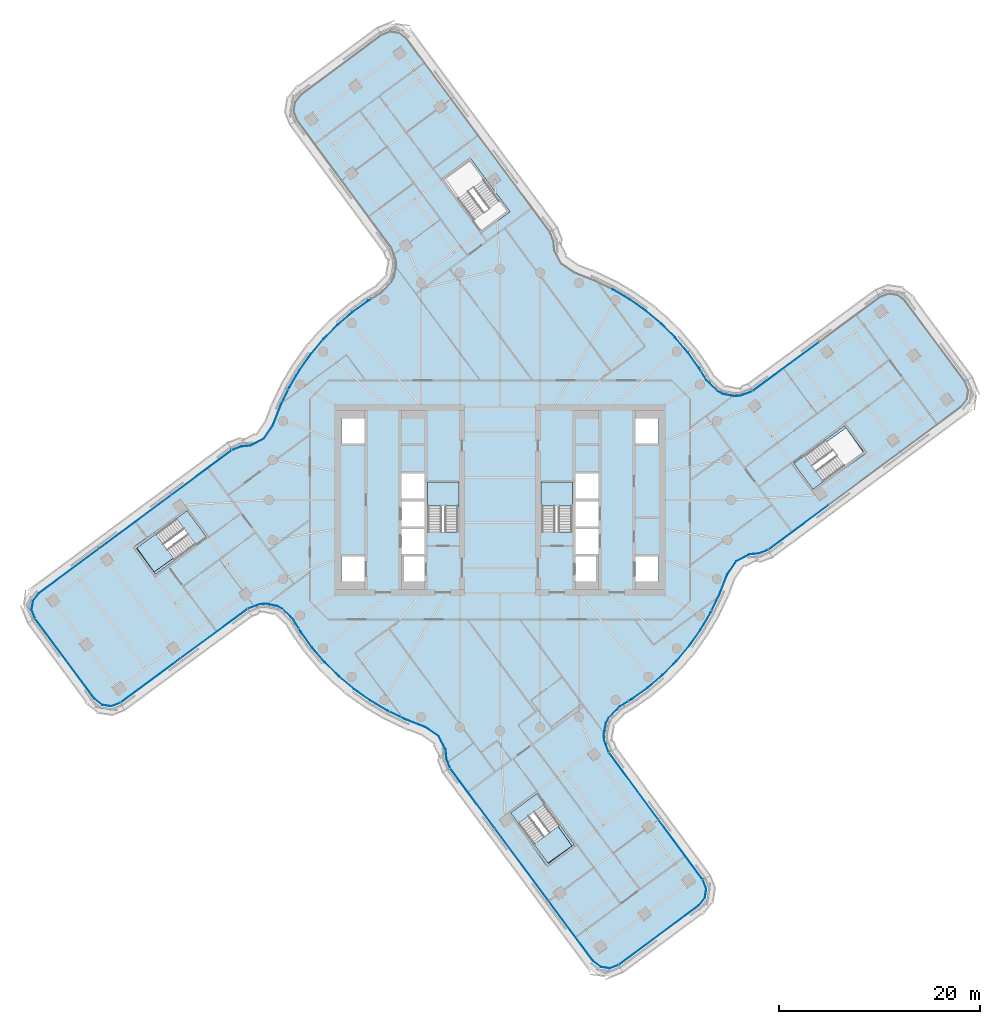
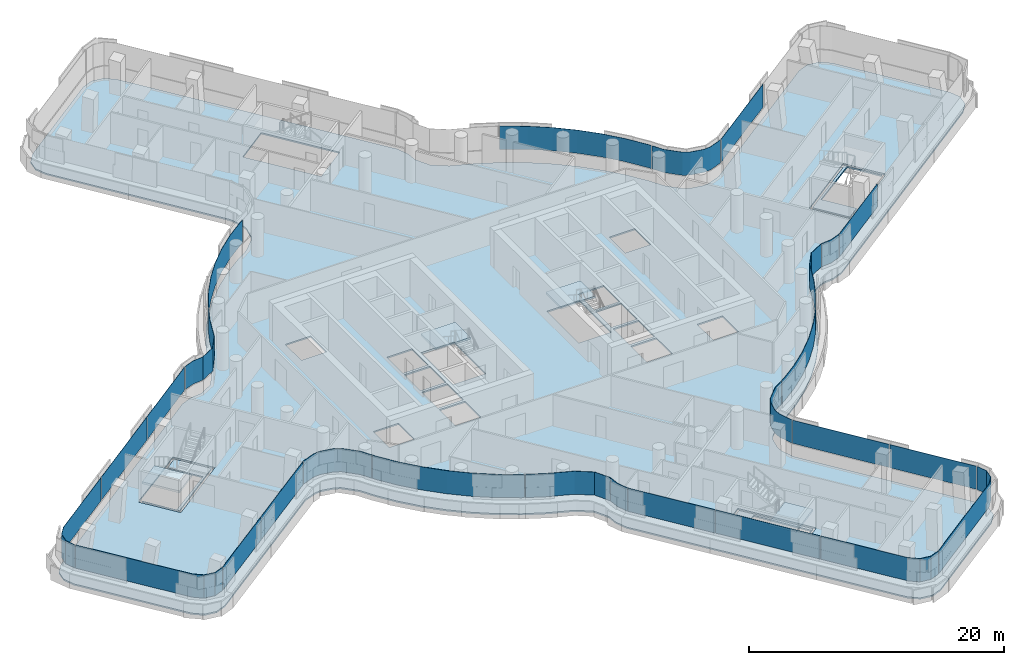
# One storey, part 18 of 32: 24 plates, 8 slabs, 16 elements without a shape of their own.
"""IFC4 building model written with IfcOpenShell, lengths in metres."""

from ifc_helpers import new_model, si_unit, direction, frame, origin, place, context, subcontext, project, spatial, polyline, outline, extrude, material, layer, layer_set, type_object, element, aggregate, save


model = new_model("IFC4")

# Units and contexts
model_context = context("Model", 3, precision=1e-05, world=origin(), true_north=direction((0.0, 1.0)))
body_context = subcontext(model_context, "Body", "Model", "MODEL_VIEW")
ifc_project = project(units=[si_unit("LENGTHUNIT", "METRE"), si_unit("AREAUNIT", "SQUARE_METRE"), si_unit("VOLUMEUNIT", "CUBIC_METRE"), si_unit("PLANEANGLEUNIT", "RADIAN"), si_unit("MASSUNIT", "GRAM", prefix="KILO")], contexts=[model_context])

# Site, building, storey
site_placement = place(None, origin())
site = spatial("IfcSite", under=ifc_project, at=site_placement, CompositionType="ELEMENT")
building_placement = place(site_placement, origin())
building = spatial("IfcBuilding", under=site, at=building_placement, Name="Tamarind Cross Interchange Tower", CompositionType="ELEMENT")
storey_placement = place(building_placement, frame((0.0, 0.0, 166.75)))
storey = spatial("IfcBuildingStorey", under=building, at=storey_placement, Name="L41", CompositionType="ELEMENT", Elevation=166.75)

# Slabs
ifc_material_1 = material(Name="Concrete C35", Category="concrete")
ifc_layer_1 = layer(ifc_material_1, 0.139892578125)
ifc_layer_set_1 = layer_set([ifc_layer_1], Name="Concrete C35")
slab_type_1 = type_object("IfcSlabType", Name="Composite slab 140 Concrete C35", PredefinedType="FLOOR", material=ifc_layer_set_1)
slab_1_placement = place(storey_placement, frame((0.0, 0.0, -0.139892578125)))
element("IfcSlab", 1, at=slab_1_placement, inside=storey, type_object=slab_type_1, Name="Floor slab L41", PredefinedType="FLOOR", context=body_context, shape_type="SweptSolid", body=[
    extrude(outline(polyline([(25.80810546875, -5.527099609375), (26.81787109375, -5.1416015625), (46.057373046875, 9.130126953125), (46.700927734375, 9.94091796875), (46.852783203125, 10.965087890625), (46.47216796875, 11.927978515625), (40.514404296875, 19.95947265625), (39.703369140625, 20.602783203125), (38.67919921875, 20.754638671875), (37.716552734375, 20.374267578125), (25.03466796875, 11.014404296875), (23.883056640625, 10.58154296875), (23.345703125, 10.5380859375), (22.277587890625, 10.751708984375), (21.79833984375, 10.9990234375), (20.729248046875, 12.057373046875), (20.031982421875, 13.2109375), (18.87255859375, 14.820068359375), (17.584228515625, 16.327880859375), (16.17578125, 17.72412109375), (14.656982421875, 18.99951171875), (13.0380859375, 20.14501953125), (11.329833984375, 21.15283203125), (9.54443359375, 22.01611328125), (7.51220703125, 22.8125), (6.263671875, 23.66650390625), (5.6103515625, 24.896728515625), (5.527099609375, 25.80810546875), (5.1416015625, 26.81787109375), (-9.130126953125, 46.057373046875), (-9.94091796875, 46.700927734375), (-10.965087890625, 46.852783203125), (-11.927978515625, 46.47216796875), (-19.95947265625, 40.514404296875), (-20.602783203125, 39.703369140625), (-20.754638671875, 38.67919921875), (-20.374267578125, 37.716552734375), (-11.014404296875, 25.03466796875), (-10.58154296875, 23.883056640625), (-10.5380859375, 23.345703125), (-10.751708984375, 22.277587890625), (-10.9990234375, 21.79833984375), (-12.057373046875, 20.729248046875), (-13.2109375, 20.031982421875), (-14.820068359375, 18.87255859375), (-16.327880859375, 17.584228515625), (-17.72412109375, 16.17578125), (-18.99951171875, 14.656982421875), (-20.14501953125, 13.0380859375), (-21.15283203125, 11.329833984375), (-22.01611328125, 9.54443359375), (-22.8125, 7.51220703125), (-23.66650390625, 6.263671875), (-24.896728515625, 5.6103515625), (-25.80810546875, 5.527099609375), (-26.81787109375, 5.1416015625), (-46.057373046875, -9.130126953125), (-46.700927734375, -9.94091796875), (-46.852783203125, -10.965087890625), (-46.47216796875, -11.927978515625), (-40.514404296875, -19.95947265625), (-39.703369140625, -20.602783203125), (-38.67919921875, -20.754638671875), (-37.716552734375, -20.374267578125), (-25.03466796875, -11.014404296875), (-23.883056640625, -10.58154296875), (-23.345703125, -10.5380859375), (-22.277587890625, -10.751708984375), (-21.79833984375, -10.9990234375), (-20.729248046875, -12.057373046875), (-20.031982421875, -13.2109375), (-18.87255859375, -14.820068359375), (-17.584228515625, -16.327880859375), (-16.17578125, -17.72412109375), (-14.656982421875, -18.99951171875), (-13.0380859375, -20.14501953125), (-11.329833984375, -21.15283203125), (-9.54443359375, -22.01611328125), (-7.51220703125, -22.8125), (-6.263671875, -23.66650390625), (-5.6103515625, -24.896728515625), (-5.527099609375, -25.80810546875), (-5.1416015625, -26.81787109375), (9.130126953125, -46.057373046875), (9.94091796875, -46.700927734375), (10.965087890625, -46.852783203125), (11.927978515625, -46.47216796875), (19.95947265625, -40.514404296875), (20.602783203125, -39.703369140625), (20.754638671875, -38.67919921875), (20.374267578125, -37.716552734375), (11.014404296875, -25.03466796875), (10.58154296875, -23.883056640625), (10.5380859375, -23.345703125), (10.751708984375, -22.277587890625), (10.9990234375, -21.79833984375), (12.057373046875, -20.729248046875), (13.2109375, -20.031982421875), (14.820068359375, -18.87255859375), (16.327880859375, -17.584228515625), (17.72412109375, -16.17578125), (18.99951171875, -14.656982421875), (20.14501953125, -13.0380859375), (21.15283203125, -11.329833984375), (22.01611328125, -9.54443359375), (22.8125, -7.51220703125), (23.66650390625, -6.263671875), (24.896728515625, -5.6103515625), (25.80810546875, -5.527099609375)]), holes=[polyline([(-7.5, -8.125), (-9.800048828125, -8.125), (-9.800048828125, -5.625), (-7.5, -5.625), (-7.5, -8.125)]), polyline([(-13.5, -8.125), (-15.800048828125, -8.125), (-15.800048828125, -5.625), (-13.5, -5.625), (-13.5, -8.125)]), polyline([(-31.124267578125, -0.7919921875), (-31.005126953125, -0.95263671875), (-29.0986328125, -3.522705078125), (-28.9794921875, -3.683349609375), (-34.360595703125, -7.675048828125), (-34.479736328125, -7.514404296875), (-36.38623046875, -4.9443359375), (-36.50537109375, -4.78369140625), (-36.2763671875, -4.61376953125), (-36.311279296875, -4.56494140625), (-33.6337890625, -2.653564453125), (-31.124267578125, -0.7919921875)]), polyline([(-7.5, -5.375), (-9.800048828125, -5.375), (-9.800048828125, -2.875), (-7.5, -2.875), (-7.5, -5.375)]), polyline([(-7.5, -2.625), (-9.800048828125, -2.625), (-9.800048828125, -0.125), (-7.5, -0.125), (-7.5, -2.625)]), polyline([(-4.199951171875, 1.800048828125), (-4.199951171875, -3.18798828125), (-7.14990234375, -3.18798828125), (-7.14990234375, 1.800048828125), (-4.199951171875, 1.800048828125)]), polyline([(-7.5, 0.125), (-9.800048828125, 0.125), (-9.800048828125, 2.625), (-7.5, 2.625), (-7.5, 0.125)]), polyline([(-13.5, 5.625), (-15.800048828125, 5.625), (-15.800048828125, 8.125), (-13.5, 8.125), (-13.5, 5.625)]), polyline([(-5.8876953125, 31.951171875), (-5.72705078125, 32.0703125), (-3.156982421875, 33.976806640625), (-2.996337890625, 34.095947265625), (-2.826171875, 33.866455078125), (-2.82177734375, 33.86962890625), (-2.653564453125, 33.6337890625), (0.995361328125, 28.71484375), (0.834716796875, 28.595703125), (-1.7353515625, 26.689208984375), (-1.89599609375, 26.570068359375), (-5.8876953125, 31.951171875)]), polyline([(0.7919921875, -31.124267578125), (0.95263671875, -31.005126953125), (3.522705078125, -29.0986328125), (3.683349609375, -28.9794921875), (7.675048828125, -34.360595703125), (7.514404296875, -34.479736328125), (4.9443359375, -36.38623046875), (4.78369140625, -36.50537109375), (4.61376953125, -36.2763671875), (4.56494140625, -36.311279296875), (2.653564453125, -33.6337890625), (0.7919921875, -31.124267578125)]), polyline([(13.5, -5.625), (15.800048828125, -5.625), (15.800048828125, -8.125), (13.5, -8.125), (13.5, -5.625)]), polyline([(7.5, -5.625), (9.800048828125, -5.625), (9.800048828125, -8.125), (7.5, -8.125), (7.5, -5.625)]), polyline([(7.5, -2.875), (9.800048828125, -2.875), (9.800048828125, -5.375), (7.5, -5.375), (7.5, -2.875)]), polyline([(7.5, -0.125), (9.800048828125, -0.125), (9.800048828125, -2.625), (7.5, -2.625), (7.5, -0.125)]), polyline([(7.14990234375, 1.800048828125), (7.14990234375, -3.18798828125), (4.199951171875, -3.18798828125), (4.199951171875, 1.800048828125), (7.14990234375, 1.800048828125)]), polyline([(7.5, 2.625), (9.800048828125, 2.625), (9.800048828125, 0.125), (7.5, 0.125), (7.5, 2.625)]), polyline([(28.9794921875, 3.683349609375), (34.360595703125, 7.675048828125), (34.479736328125, 7.514404296875), (36.38623046875, 4.9443359375), (36.50537109375, 4.78369140625), (36.2763671875, 4.61376953125), (36.311279296875, 4.56494140625), (33.6337890625, 2.653564453125), (31.124267578125, 0.7919921875), (31.005126953125, 0.95263671875), (29.0986328125, 3.522705078125), (28.9794921875, 3.683349609375)]), polyline([(15.800048828125, 8.125), (15.800048828125, 5.625), (13.5, 5.625), (13.5, 8.125), (15.800048828125, 8.125)])]), origin(), (0.0, 0.0, 1.0), 0.139892578125),
])
slab_2_placement = place(storey_placement, frame((0.0, 0.0, -0.139892578125)))
element("IfcSlab", 2, at=slab_2_placement, inside=storey, type_object=slab_type_1, Name="Floor slab L41", PredefinedType="FLOOR", context=body_context, shape_type="SweptSolid", body=[
    extrude(outline(polyline([(-36.2255859375, -4.8251953125), (-34.319091796875, -7.395263671875), (-29.25927734375, -3.641845703125), (-31.165771484375, -1.07177734375), (-32.1533203125, -1.80419921875), (-32.219482421875, -1.853515625), (-30.414306640625, -4.286865234375), (-34.451904296875, -7.169189453125), (-36.16015625, -4.776611328125), (-36.2255859375, -4.8251953125)])), origin(), (0.0, 0.0, 1.0), 0.139892578125),
])
slab_3_placement = place(storey_placement, frame((0.0, 0.0, -0.139892578125)))
element("IfcSlab", 3, at=slab_3_placement, inside=storey, type_object=slab_type_1, Name="Floor slab L41", PredefinedType="FLOOR", context=body_context, shape_type="SweptSolid", body=[
    extrude(outline(polyline([(4.8251953125, -36.2255859375), (7.395263671875, -34.319091796875), (3.641845703125, -29.25927734375), (1.07177734375, -31.165771484375), (1.80419921875, -32.1533203125), (1.853515625, -32.219482421875), (4.286865234375, -30.414306640625), (7.169189453125, -34.451904296875), (4.776611328125, -36.16015625), (4.8251953125, -36.2255859375)])), origin(), (0.0, 0.0, 1.0), 0.139892578125),
])
slab_4_placement = place(storey_placement, frame((0.0, 0.0, -0.139892578125)))
element("IfcSlab", 4, at=slab_4_placement, inside=storey, type_object=slab_type_1, Name="Floor slab L41", PredefinedType="FLOOR", context=body_context, shape_type="SweptSolid", body=[
    extrude(outline(polyline([(29.25927734375, 3.641845703125), (31.165771484375, 1.07177734375), (32.1533203125, 1.80419921875), (32.219482421875, 1.853515625), (30.414306640625, 4.286865234375), (34.451904296875, 7.169189453125), (36.16015625, 4.776611328125), (36.2255859375, 4.8251953125), (34.319091796875, 7.395263671875), (29.25927734375, 3.641845703125)])), origin(), (0.0, 0.0, 1.0), 0.139892578125),
])

# Stair, slab
ifc_material_2 = material(Name="Exit stair")
stair_type = type_object("IfcStairType", Name="Exit stair", PredefinedType="HALF_TURN_STAIR", material=ifc_material_2)
stair_1_placement = place(storey_placement, origin())
stair_1 = element("IfcStair", 5, at=stair_1_placement, inside=storey, type_object=stair_type, Name="L41 exit stair ST1", PredefinedType="HALF_TURN_STAIR")
ifc_material_3 = material(Name="Concrete C40", Category="concrete")
ifc_layer_2 = layer(ifc_material_3, 0.199951171875)
ifc_layer_set_2 = layer_set([ifc_layer_2], Name="Concrete C40")
slab_type_2 = type_object("IfcSlabType", Name="Stair landing", PredefinedType="LANDING", material=ifc_layer_set_2)
slab_5_placement = place(storey_placement, frame((0.0, 0.0, 1.675048828125)))
slab_5 = element("IfcSlab", 6, at=slab_5_placement, type_object=slab_type_2, Name="ST1 landing 1", PredefinedType="LANDING", context=body_context, shape_type="SweptSolid", body=[
    extrude(outline(polyline([(-4.10009765625, -0.60009765625), (-4.10009765625, 1.800048828125), (-7.199951171875, 1.800048828125), (-7.199951171875, -0.60009765625), (-4.10009765625, -0.60009765625)])), origin(), (0.0, 0.0, 1.0), 0.199951171875),
])
aggregate(stair_1, [slab_5])

stair_2_placement = place(storey_placement, origin())
stair_2 = element("IfcStair", 7, at=stair_2_placement, inside=storey, type_object=stair_type, Name="L41 exit stair ST2", PredefinedType="HALF_TURN_STAIR")
slab_6_placement = place(storey_placement, frame((0.0, 0.0, 1.675048828125)))
slab_6 = element("IfcSlab", 8, at=slab_6_placement, type_object=slab_type_2, Name="ST2 landing 1", PredefinedType="LANDING", context=body_context, shape_type="SweptSolid", body=[
    extrude(outline(polyline([(7.199951171875, -0.60009765625), (7.199951171875, 1.800048828125), (4.10009765625, 1.800048828125), (4.10009765625, -0.60009765625), (7.199951171875, -0.60009765625)])), origin(), (0.0, 0.0, 1.0), 0.199951171875),
])
aggregate(stair_2, [slab_6])

stair_3_placement = place(storey_placement, origin())
stair_3 = element("IfcStair", 9, at=stair_3_placement, inside=storey, type_object=stair_type, Name="L41 exit stair ST5", PredefinedType="HALF_TURN_STAIR")
slab_7_placement = place(storey_placement, frame((0.0, 0.0, 1.675048828125)))
slab_7 = element("IfcSlab", 10, at=slab_7_placement, type_object=slab_type_2, Name="ST5 landing 1", PredefinedType="LANDING", context=body_context, shape_type="SweptSolid", body=[
    extrude(outline(polyline([(-34.288330078125, -3.38818359375), (-36.2255859375, -4.8251953125), (-34.319091796875, -7.395263671875), (-32.3818359375, -5.958251953125), (-34.288330078125, -3.38818359375)])), origin(), (0.0, 0.0, 1.0), 0.199951171875),
])
aggregate(stair_3, [slab_7])

stair_4_placement = place(storey_placement, origin())
stair_4 = element("IfcStair", 11, at=stair_4_placement, inside=storey, type_object=stair_type, Name="L41 exit stair ST6", PredefinedType="HALF_TURN_STAIR")
slab_8_placement = place(storey_placement, frame((0.0, 0.0, 1.675048828125)))
slab_8 = element("IfcSlab", 12, at=slab_8_placement, type_object=slab_type_2, Name="ST6 landing 1", PredefinedType="LANDING", context=body_context, shape_type="SweptSolid", body=[
    extrude(outline(polyline([(3.38818359375, -34.288330078125), (4.8251953125, -36.2255859375), (7.395263671875, -34.319091796875), (5.958251953125, -32.3818359375), (3.38818359375, -34.288330078125)])), origin(), (0.0, 0.0, 1.0), 0.199951171875),
])
aggregate(stair_4, [slab_8])

# Curtain wall, plate
ifc_material_4 = material(Name="Aluminium 6063-T6", Category="aluminium")
ifc_layer_3 = layer(ifc_material_4, 0.159912109375)
ifc_layer_set_3 = layer_set([ifc_layer_3], Name="Aluminium 6063-T6")
curtain_wall_type = type_object("IfcCurtainWallType", Name="Office curtain wall, 9.0 m bays", PredefinedType="NOTDEFINED", material=ifc_layer_set_3)
curtain_wall_1_placement = place(storey_placement, origin())
curtain_wall_1 = element("IfcCurtainWall", 13, at=curtain_wall_1_placement, inside=storey, type_object=curtain_wall_type, Name="CWS-L41-01", PredefinedType="NOTDEFINED")
ifc_material_5 = material(Name="Laminated low-e glass 8+1.52+8", Category="glass")
ifc_layer_4 = layer(ifc_material_5, 0.028076171875)
ifc_layer_set_4 = layer_set([ifc_layer_4], Name="Laminated low-e glass 8+1.52+8")
plate_type = type_object("IfcPlateType", Name="Vision panel CW1", PredefinedType="CURTAIN_PANEL", material=ifc_layer_set_4)
plate_1_placement = place(storey_placement, frame((0.0, 0.0, 1.39990234375)))
plate_1 = element("IfcPlate", 14, at=plate_1_placement, type_object=plate_type, Name="CWP-L41-01-01", PredefinedType="CURTAIN_PANEL", context=body_context, shape_type="SweptSolid", body=[
    extrude(outline(polyline([(31.794677734375, 15.737548828125), (25.163330078125, 10.84375), (25.146728515625, 10.8662109375), (31.778076171875, 15.76025390625), (31.794677734375, 15.737548828125)])), origin(), (0.0, 0.0, 1.0), 2.210205078125),
])
aggregate(curtain_wall_1, [plate_1])

# Curtain wall, plates
curtain_wall_2_placement = place(storey_placement, origin())
curtain_wall_2 = element("IfcCurtainWall", 15, at=curtain_wall_2_placement, inside=storey, type_object=curtain_wall_type, Name="CWS-L41-02", PredefinedType="NOTDEFINED")
plate_2_placement = place(storey_placement, frame((0.0, 0.0, 1.39990234375)))
plate_2 = element("IfcPlate", 16, at=plate_2_placement, type_object=plate_type, Name="CWP-L41-02-00", PredefinedType="CURTAIN_PANEL", context=body_context, shape_type="SweptSolid", body=[
    extrude(outline(polyline([(25.10791015625, 10.8134765625), (23.930419921875, 10.37060546875), (23.3330078125, 10.322265625), (22.2060546875, 10.5478515625), (21.671142578125, 10.82373046875), (20.559814453125, 11.923828125), (20.048095703125, 12.7705078125), (20.072021484375, 12.784912109375), (20.58203125, 11.94140625), (21.687744140625, 10.8466796875), (22.215576171875, 10.574462890625), (23.334716796875, 10.350341796875), (23.924072265625, 10.398193359375), (25.097900390625, 10.839599609375), (25.10791015625, 10.8134765625)])), origin(), (0.0, 0.0, 1.0), 2.210205078125),
])
plate_3_placement = place(storey_placement, frame((0.0, 0.0, 1.39990234375)))
plate_3 = element("IfcPlate", 17, at=plate_3_placement, type_object=plate_type, Name="CWP-L41-02-01", PredefinedType="CURTAIN_PANEL", context=body_context, shape_type="SweptSolid", body=[
    extrude(outline(polyline([(20.01708984375, 12.82177734375), (19.853271484375, 13.0927734375), (18.7041015625, 14.687744140625), (17.42724609375, 16.18212890625), (16.031494140625, 17.56591796875), (14.526123046875, 18.829833984375), (12.921630859375, 19.965087890625), (11.228759765625, 20.9638671875), (11.018798828125, 21.0654296875), (11.031005859375, 21.090576171875), (11.241943359375, 20.98876953125), (12.936767578125, 19.988525390625), (14.543212890625, 18.85205078125), (16.05029296875, 17.586669921875), (17.44775390625, 16.201171875), (18.72607421875, 14.705078125), (19.876708984375, 13.108154296875), (20.041015625, 12.83642578125), (20.01708984375, 12.82177734375)])), origin(), (0.0, 0.0, 1.0), 2.210205078125),
])
aggregate(curtain_wall_2, [plate_2, plate_3])

curtain_wall_3_placement = place(storey_placement, origin())
curtain_wall_3 = element("IfcCurtainWall", 18, at=curtain_wall_3_placement, inside=storey, type_object=curtain_wall_type, Name="CWS-L41-06", PredefinedType="NOTDEFINED")
plate_4_placement = place(storey_placement, frame((0.0, 0.0, 1.39990234375)))
plate_4 = element("IfcPlate", 19, at=plate_4_placement, type_object=plate_type, Name="CWP-L41-06-01", PredefinedType="CURTAIN_PANEL", context=body_context, shape_type="SweptSolid", body=[
    extrude(outline(polyline([(-12.82177734375, 20.01708984375), (-13.0927734375, 19.853271484375), (-14.687744140625, 18.7041015625), (-16.18212890625, 17.42724609375), (-17.56591796875, 16.031494140625), (-18.829833984375, 14.526123046875), (-19.965087890625, 12.921630859375), (-20.9638671875, 11.228759765625), (-21.0654296875, 11.018798828125), (-21.090576171875, 11.031005859375), (-20.98876953125, 11.241943359375), (-19.988525390625, 12.936767578125), (-18.85205078125, 14.543212890625), (-17.586669921875, 16.05029296875), (-16.201171875, 17.44775390625), (-14.705078125, 18.72607421875), (-13.108154296875, 19.876708984375), (-12.83642578125, 20.041015625), (-12.82177734375, 20.01708984375)])), origin(), (0.0, 0.0, 1.0), 2.210205078125),
])
plate_5_placement = place(storey_placement, frame((0.0, 0.0, 1.39990234375)))
plate_5 = element("IfcPlate", 20, at=plate_5_placement, type_object=plate_type, Name="CWP-L41-06-02", PredefinedType="CURTAIN_PANEL", context=body_context, shape_type="SweptSolid", body=[
    extrude(outline(polyline([(-21.091552734375, 10.96484375), (-21.81982421875, 9.458740234375), (-22.6220703125, 7.411376953125), (-23.519775390625, 6.099365234375), (-24.834228515625, 5.401123046875), (-25.75927734375, 5.316650390625), (-26.68798828125, 4.96240234375), (-26.69775390625, 4.988525390625), (-25.765625, 5.34423828125), (-24.842529296875, 5.428466796875), (-23.538818359375, 6.120849609375), (-22.64697265625, 7.424560546875), (-21.845458984375, 9.469970703125), (-21.11669921875, 10.97705078125), (-21.091552734375, 10.96484375)])), origin(), (0.0, 0.0, 1.0), 2.210205078125),
])
aggregate(curtain_wall_3, [plate_4, plate_5])

curtain_wall_4_placement = place(storey_placement, origin())
curtain_wall_4 = element("IfcCurtainWall", 21, at=curtain_wall_4_placement, inside=storey, type_object=curtain_wall_type, Name="CWS-L41-07", PredefinedType="NOTDEFINED")
plate_6_placement = place(storey_placement, frame((0.0, 0.0, 1.39990234375)))
plate_6 = element("IfcPlate", 22, at=plate_6_placement, type_object=plate_type, Name="CWP-L41-07-00", PredefinedType="CURTAIN_PANEL", context=body_context, shape_type="SweptSolid", body=[
    extrude(outline(polyline([(-26.736572265625, 4.935546875), (-32.693603515625, 0.516845703125), (-32.710205078125, 0.539306640625), (-26.75341796875, 4.9580078125), (-26.736572265625, 4.935546875)])), origin(), (0.0, 0.0, 1.0), 2.210205078125),
])
plate_7_placement = place(storey_placement, frame((0.0, 0.0, 1.39990234375)))
plate_7 = element("IfcPlate", 23, at=plate_7_placement, type_object=plate_type, Name="CWP-L41-07-01", PredefinedType="CURTAIN_PANEL", context=body_context, shape_type="SweptSolid", body=[
    extrude(outline(polyline([(-32.74169921875, 0.48095703125), (-39.90576171875, -4.833251953125), (-39.92236328125, -4.810791015625), (-32.758544921875, 0.50341796875), (-32.74169921875, 0.48095703125)])), origin(), (0.0, 0.0, 1.0), 2.210205078125),
])
plate_8_placement = place(storey_placement, frame((0.0, 0.0, 1.39990234375)))
plate_8 = element("IfcPlate", 24, at=plate_8_placement, type_object=plate_type, Name="CWP-L41-07-02", PredefinedType="CURTAIN_PANEL", context=body_context, shape_type="SweptSolid", body=[
    extrude(outline(polyline([(-39.953857421875, -4.868896484375), (-45.9072265625, -9.28515625), (-46.49755859375, -10.029052734375), (-46.632568359375, -10.939697265625), (-46.293701171875, -11.796875), (-46.31982421875, -11.80712890625), (-46.661376953125, -10.943115234375), (-46.524169921875, -10.017578125), (-45.9267578125, -9.264892578125), (-39.970458984375, -4.846435546875), (-39.953857421875, -4.868896484375)])), origin(), (0.0, 0.0, 1.0), 2.210205078125),
])
aggregate(curtain_wall_4, [plate_6, plate_7, plate_8])

# Curtain wall, plate
curtain_wall_5_placement = place(storey_placement, origin())
curtain_wall_5 = element("IfcCurtainWall", 25, at=curtain_wall_5_placement, inside=storey, type_object=curtain_wall_type, Name="CWS-L41-08", PredefinedType="NOTDEFINED")
plate_9_placement = place(storey_placement, frame((0.0, 0.0, 1.39990234375)))
plate_9 = element("IfcPlate", 26, at=plate_9_placement, type_object=plate_type, Name="CWP-L41-08-00", PredefinedType="CURTAIN_PANEL", context=body_context, shape_type="SweptSolid", body=[
    extrude(outline(polyline([(-46.2666015625, -11.845703125), (-40.359130859375, -19.809326171875), (-39.615234375, -20.399658203125), (-38.70458984375, -20.53466796875), (-37.847412109375, -20.19580078125), (-37.8369140625, -20.2216796875), (-38.701416015625, -20.5634765625), (-39.626708984375, -20.42626953125), (-40.379638671875, -19.828857421875), (-46.2890625, -11.8623046875), (-46.2666015625, -11.845703125)])), origin(), (0.0, 0.0, 1.0), 2.210205078125),
])
aggregate(curtain_wall_5, [plate_9])

# Curtain wall, plates
curtain_wall_6_placement = place(storey_placement, origin())
curtain_wall_6 = element("IfcCurtainWall", 27, at=curtain_wall_6_placement, inside=storey, type_object=curtain_wall_type, Name="CWS-L41-09", PredefinedType="NOTDEFINED")
plate_10_placement = place(storey_placement, frame((0.0, 0.0, 1.39990234375)))
plate_10 = element("IfcPlate", 28, at=plate_10_placement, type_object=plate_type, Name="CWP-L41-09-00", PredefinedType="CURTAIN_PANEL", context=body_context, shape_type="SweptSolid", body=[
    extrude(outline(polyline([(-37.79833984375, -20.168701171875), (-31.8427734375, -15.773193359375), (-31.826171875, -15.7958984375), (-37.78173828125, -20.191162109375), (-37.79833984375, -20.168701171875)])), origin(), (0.0, 0.0, 1.0), 2.210205078125),
])
plate_11_placement = place(storey_placement, frame((0.0, 0.0, 1.39990234375)))
plate_11 = element("IfcPlate", 29, at=plate_11_placement, type_object=plate_type, Name="CWP-L41-09-01", PredefinedType="CURTAIN_PANEL", context=body_context, shape_type="SweptSolid", body=[
    extrude(outline(polyline([(-31.794677734375, -15.737548828125), (-25.163330078125, -10.84375), (-25.146728515625, -10.8662109375), (-31.778076171875, -15.76025390625), (-31.794677734375, -15.737548828125)])), origin(), (0.0, 0.0, 1.0), 2.210205078125),
])
aggregate(curtain_wall_6, [plate_10, plate_11])

curtain_wall_7_placement = place(storey_placement, origin())
curtain_wall_7 = element("IfcCurtainWall", 30, at=curtain_wall_7_placement, inside=storey, type_object=curtain_wall_type, Name="CWS-L41-10", PredefinedType="NOTDEFINED")
plate_12_placement = place(storey_placement, frame((0.0, 0.0, 1.39990234375)))
plate_12 = element("IfcPlate", 31, at=plate_12_placement, type_object=plate_type, Name="CWP-L41-10-00", PredefinedType="CURTAIN_PANEL", context=body_context, shape_type="SweptSolid", body=[
    extrude(outline(polyline([(-25.10791015625, -10.8134765625), (-23.930419921875, -10.37060546875), (-23.3330078125, -10.322265625), (-22.2060546875, -10.5478515625), (-21.671142578125, -10.82373046875), (-20.559814453125, -11.923828125), (-20.048095703125, -12.7705078125), (-20.072021484375, -12.784912109375), (-20.58203125, -11.94140625), (-21.687744140625, -10.8466796875), (-22.215576171875, -10.574462890625), (-23.334716796875, -10.350341796875), (-23.924072265625, -10.398193359375), (-25.097900390625, -10.839599609375), (-25.10791015625, -10.8134765625)])), origin(), (0.0, 0.0, 1.0), 2.210205078125),
])
plate_13_placement = place(storey_placement, frame((0.0, 0.0, 1.39990234375)))
plate_13 = element("IfcPlate", 32, at=plate_13_placement, type_object=plate_type, Name="CWP-L41-10-01", PredefinedType="CURTAIN_PANEL", context=body_context, shape_type="SweptSolid", body=[
    extrude(outline(polyline([(-20.01708984375, -12.82177734375), (-19.853271484375, -13.0927734375), (-18.7041015625, -14.687744140625), (-17.42724609375, -16.18212890625), (-16.031494140625, -17.56591796875), (-14.526123046875, -18.829833984375), (-12.921630859375, -19.965087890625), (-11.228759765625, -20.9638671875), (-11.018798828125, -21.0654296875), (-11.031005859375, -21.090576171875), (-11.241943359375, -20.98876953125), (-12.936767578125, -19.988525390625), (-14.543212890625, -18.85205078125), (-16.05029296875, -17.586669921875), (-17.44775390625, -16.201171875), (-18.72607421875, -14.705078125), (-19.876708984375, -13.108154296875), (-20.041015625, -12.83642578125), (-20.01708984375, -12.82177734375)])), origin(), (0.0, 0.0, 1.0), 2.210205078125),
])
plate_14_placement = place(storey_placement, frame((0.0, 0.0, 1.39990234375)))
plate_14 = element("IfcPlate", 33, at=plate_14_placement, type_object=plate_type, Name="CWP-L41-10-02", PredefinedType="CURTAIN_PANEL", context=body_context, shape_type="SweptSolid", body=[
    extrude(outline(polyline([(-10.96484375, -21.091552734375), (-9.458740234375, -21.81982421875), (-7.411376953125, -22.6220703125), (-6.099365234375, -23.519775390625), (-5.401123046875, -24.834228515625), (-5.316650390625, -25.75927734375), (-4.96240234375, -26.68798828125), (-4.988525390625, -26.69775390625), (-5.34423828125, -25.765625), (-5.428466796875, -24.842529296875), (-6.120849609375, -23.538818359375), (-7.424560546875, -22.64697265625), (-9.469970703125, -21.845458984375), (-10.97705078125, -21.11669921875), (-10.96484375, -21.091552734375)])), origin(), (0.0, 0.0, 1.0), 2.210205078125),
])
aggregate(curtain_wall_7, [plate_12, plate_13, plate_14])

curtain_wall_8_placement = place(storey_placement, origin())
curtain_wall_8 = element("IfcCurtainWall", 34, at=curtain_wall_8_placement, inside=storey, type_object=curtain_wall_type, Name="CWS-L41-11", PredefinedType="NOTDEFINED")
plate_15_placement = place(storey_placement, frame((0.0, 0.0, 1.39990234375)))
plate_15 = element("IfcPlate", 35, at=plate_15_placement, type_object=plate_type, Name="CWP-L41-11-00", PredefinedType="CURTAIN_PANEL", context=body_context, shape_type="SweptSolid", body=[
    extrude(outline(polyline([(-4.935546875, -26.736572265625), (-0.516845703125, -32.693603515625), (-0.539306640625, -32.710205078125), (-4.9580078125, -26.75341796875), (-4.935546875, -26.736572265625)])), origin(), (0.0, 0.0, 1.0), 2.210205078125),
])
plate_16_placement = place(storey_placement, frame((0.0, 0.0, 1.39990234375)))
plate_16 = element("IfcPlate", 36, at=plate_16_placement, type_object=plate_type, Name="CWP-L41-11-01", PredefinedType="CURTAIN_PANEL", context=body_context, shape_type="SweptSolid", body=[
    extrude(outline(polyline([(-0.48095703125, -32.74169921875), (4.833251953125, -39.90576171875), (4.810791015625, -39.92236328125), (-0.50341796875, -32.758544921875), (-0.48095703125, -32.74169921875)])), origin(), (0.0, 0.0, 1.0), 2.210205078125),
])
plate_17_placement = place(storey_placement, frame((0.0, 0.0, 1.39990234375)))
plate_17 = element("IfcPlate", 37, at=plate_17_placement, type_object=plate_type, Name="CWP-L41-11-02", PredefinedType="CURTAIN_PANEL", context=body_context, shape_type="SweptSolid", body=[
    extrude(outline(polyline([(4.868896484375, -39.953857421875), (9.28515625, -45.9072265625), (10.029052734375, -46.49755859375), (10.939697265625, -46.632568359375), (11.796875, -46.293701171875), (11.80712890625, -46.31982421875), (10.943115234375, -46.661376953125), (10.017578125, -46.524169921875), (9.264892578125, -45.9267578125), (4.846435546875, -39.970458984375), (4.868896484375, -39.953857421875)])), origin(), (0.0, 0.0, 1.0), 2.210205078125),
])
aggregate(curtain_wall_8, [plate_15, plate_16, plate_17])

# Curtain wall, plate
curtain_wall_9_placement = place(storey_placement, origin())
curtain_wall_9 = element("IfcCurtainWall", 38, at=curtain_wall_9_placement, inside=storey, type_object=curtain_wall_type, Name="CWS-L41-12", PredefinedType="NOTDEFINED")
plate_18_placement = place(storey_placement, frame((0.0, 0.0, 1.39990234375)))
plate_18 = element("IfcPlate", 39, at=plate_18_placement, type_object=plate_type, Name="CWP-L41-12-00", PredefinedType="CURTAIN_PANEL", context=body_context, shape_type="SweptSolid", body=[
    extrude(outline(polyline([(11.845703125, -46.2666015625), (19.809326171875, -40.359130859375), (20.399658203125, -39.615234375), (20.53466796875, -38.70458984375), (20.19580078125, -37.847412109375), (20.2216796875, -37.8369140625), (20.5634765625, -38.701416015625), (20.42626953125, -39.626708984375), (19.828857421875, -40.379638671875), (11.8623046875, -46.2890625), (11.845703125, -46.2666015625)])), origin(), (0.0, 0.0, 1.0), 2.210205078125),
])
aggregate(curtain_wall_9, [plate_18])

# Curtain wall, plates
curtain_wall_10_placement = place(storey_placement, origin())
curtain_wall_10 = element("IfcCurtainWall", 40, at=curtain_wall_10_placement, inside=storey, type_object=curtain_wall_type, Name="CWS-L41-13", PredefinedType="NOTDEFINED")
plate_19_placement = place(storey_placement, frame((0.0, 0.0, 1.39990234375)))
plate_19 = element("IfcPlate", 41, at=plate_19_placement, type_object=plate_type, Name="CWP-L41-13-00", PredefinedType="CURTAIN_PANEL", context=body_context, shape_type="SweptSolid", body=[
    extrude(outline(polyline([(20.168701171875, -37.79833984375), (15.773193359375, -31.8427734375), (15.7958984375, -31.826171875), (20.191162109375, -37.78173828125), (20.168701171875, -37.79833984375)])), origin(), (0.0, 0.0, 1.0), 2.210205078125),
])
plate_20_placement = place(storey_placement, frame((0.0, 0.0, 1.39990234375)))
plate_20 = element("IfcPlate", 42, at=plate_20_placement, type_object=plate_type, Name="CWP-L41-13-01", PredefinedType="CURTAIN_PANEL", context=body_context, shape_type="SweptSolid", body=[
    extrude(outline(polyline([(15.737548828125, -31.794677734375), (10.84375, -25.163330078125), (10.8662109375, -25.146728515625), (15.76025390625, -31.778076171875), (15.737548828125, -31.794677734375)])), origin(), (0.0, 0.0, 1.0), 2.210205078125),
])
aggregate(curtain_wall_10, [plate_19, plate_20])

curtain_wall_11_placement = place(storey_placement, origin())
curtain_wall_11 = element("IfcCurtainWall", 43, at=curtain_wall_11_placement, inside=storey, type_object=curtain_wall_type, Name="CWS-L41-14", PredefinedType="NOTDEFINED")
plate_21_placement = place(storey_placement, frame((0.0, 0.0, 1.39990234375)))
plate_21 = element("IfcPlate", 44, at=plate_21_placement, type_object=plate_type, Name="CWP-L41-14-00", PredefinedType="CURTAIN_PANEL", context=body_context, shape_type="SweptSolid", body=[
    extrude(outline(polyline([(10.8134765625, -25.10791015625), (10.37060546875, -23.930419921875), (10.322265625, -23.3330078125), (10.5478515625, -22.2060546875), (10.82373046875, -21.671142578125), (11.923828125, -20.559814453125), (12.7705078125, -20.048095703125), (12.784912109375, -20.072021484375), (11.94140625, -20.58203125), (10.8466796875, -21.687744140625), (10.574462890625, -22.215576171875), (10.350341796875, -23.334716796875), (10.398193359375, -23.924072265625), (10.839599609375, -25.097900390625), (10.8134765625, -25.10791015625)])), origin(), (0.0, 0.0, 1.0), 2.210205078125),
])
plate_22_placement = place(storey_placement, frame((0.0, 0.0, 1.39990234375)))
plate_22 = element("IfcPlate", 45, at=plate_22_placement, type_object=plate_type, Name="CWP-L41-14-01", PredefinedType="CURTAIN_PANEL", context=body_context, shape_type="SweptSolid", body=[
    extrude(outline(polyline([(12.82177734375, -20.01708984375), (13.0927734375, -19.853271484375), (14.687744140625, -18.7041015625), (16.18212890625, -17.42724609375), (17.56591796875, -16.031494140625), (18.829833984375, -14.526123046875), (19.965087890625, -12.921630859375), (20.9638671875, -11.228759765625), (21.0654296875, -11.018798828125), (21.090576171875, -11.031005859375), (20.98876953125, -11.241943359375), (19.988525390625, -12.936767578125), (18.85205078125, -14.543212890625), (17.586669921875, -16.05029296875), (16.201171875, -17.44775390625), (14.705078125, -18.72607421875), (13.108154296875, -19.876708984375), (12.83642578125, -20.041015625), (12.82177734375, -20.01708984375)])), origin(), (0.0, 0.0, 1.0), 2.210205078125),
])
plate_23_placement = place(storey_placement, frame((0.0, 0.0, 1.39990234375)))
plate_23 = element("IfcPlate", 46, at=plate_23_placement, type_object=plate_type, Name="CWP-L41-14-02", PredefinedType="CURTAIN_PANEL", context=body_context, shape_type="SweptSolid", body=[
    extrude(outline(polyline([(21.091552734375, -10.96484375), (21.81982421875, -9.458740234375), (22.6220703125, -7.411376953125), (23.519775390625, -6.099365234375), (24.834228515625, -5.401123046875), (25.75927734375, -5.316650390625), (26.68798828125, -4.96240234375), (26.69775390625, -4.988525390625), (25.765625, -5.34423828125), (24.842529296875, -5.428466796875), (23.538818359375, -6.120849609375), (22.64697265625, -7.424560546875), (21.845458984375, -9.469970703125), (21.11669921875, -10.97705078125), (21.091552734375, -10.96484375)])), origin(), (0.0, 0.0, 1.0), 2.210205078125),
])
aggregate(curtain_wall_11, [plate_21, plate_22, plate_23])

# Curtain wall, plate
curtain_wall_12_placement = place(storey_placement, origin())
curtain_wall_12 = element("IfcCurtainWall", 47, at=curtain_wall_12_placement, inside=storey, type_object=curtain_wall_type, Name="CWS-L41-15", PredefinedType="NOTDEFINED")
plate_24_placement = place(storey_placement, frame((0.0, 0.0, 1.39990234375)))
plate_24 = element("IfcPlate", 48, at=plate_24_placement, type_object=plate_type, Name="CWP-L41-15-00", PredefinedType="CURTAIN_PANEL", context=body_context, shape_type="SweptSolid", body=[
    extrude(outline(polyline([(26.736572265625, -4.935546875), (32.693603515625, -0.516845703125), (32.710205078125, -0.539306640625), (26.75341796875, -4.9580078125), (26.736572265625, -4.935546875)])), origin(), (0.0, 0.0, 1.0), 2.210205078125),
])
aggregate(curtain_wall_12, [plate_24])

save(model, "model.ifc")
